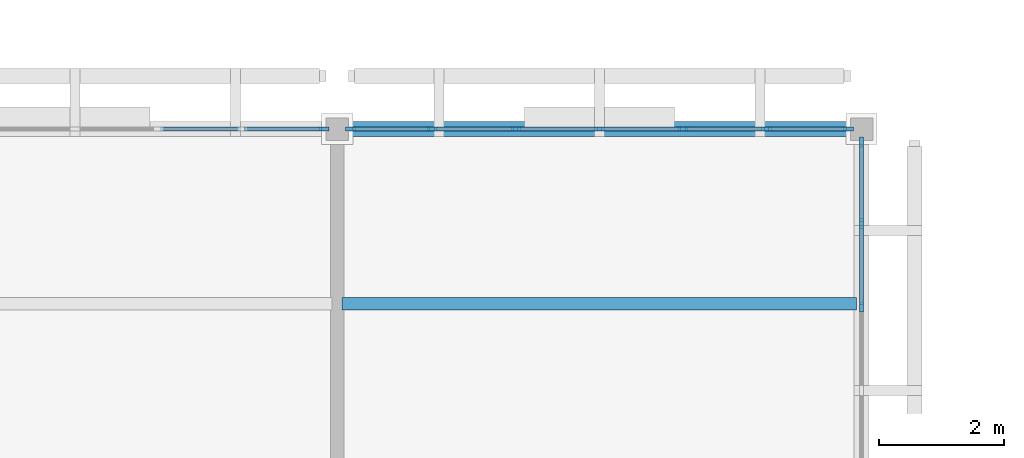
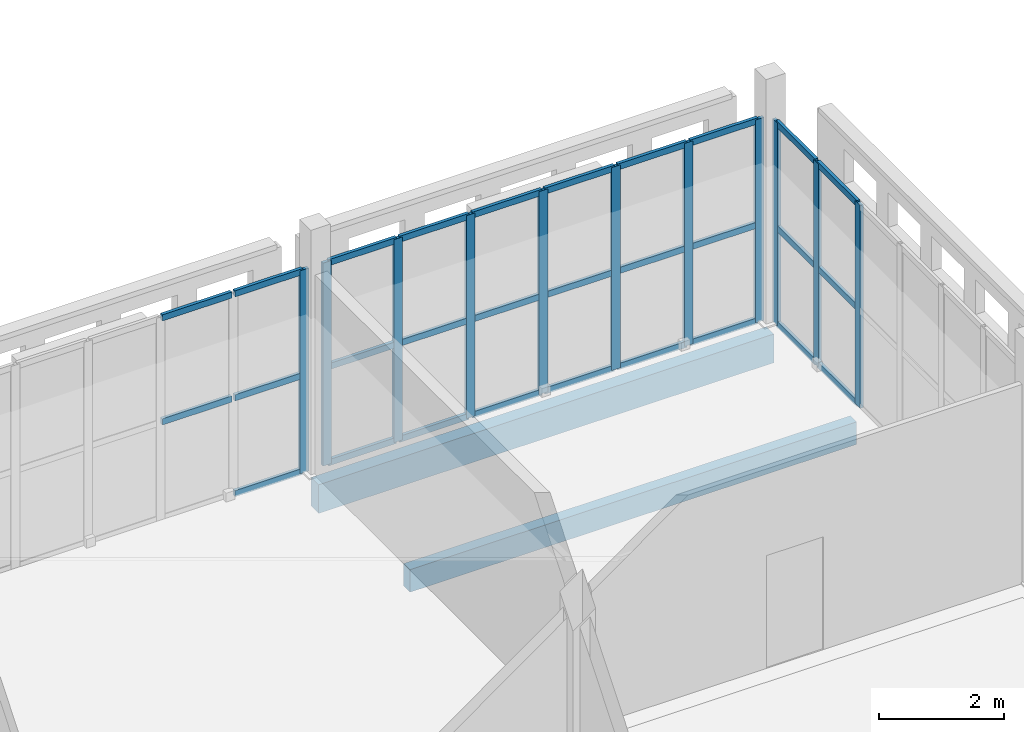
# One storey, part 29 of 203: 40 members, 2 beams, 3 elements without a shape of their own.
"""IFC4 building model written with IfcOpenShell, lengths in metres."""

from ifc_helpers import new_model, si_unit, direction, frame, origin, origin_2d, place, context, subcontext, project, spatial, rectangle, extrude, material, layer, layer_set, material_profile, profile_set, type_object, element, aggregate, save


model = new_model("IFC4")

# Units and contexts
model_context = context("Model", 3, precision=1e-05, world=origin(), true_north=direction((0.0, 1.0)))
body_context = subcontext(model_context, "Body", "Model", "MODEL_VIEW")
ifc_project = project(units=[si_unit("LENGTHUNIT", "METRE"), si_unit("AREAUNIT", "SQUARE_METRE"), si_unit("VOLUMEUNIT", "CUBIC_METRE"), si_unit("PLANEANGLEUNIT", "RADIAN"), si_unit("MASSUNIT", "GRAM", prefix="KILO")], contexts=[model_context])

# Site, building, storey
site_placement = place(None, origin())
site = spatial("IfcSite", under=ifc_project, at=site_placement, CompositionType="ELEMENT")
building_placement = place(site_placement, origin())
building = spatial("IfcBuilding", under=site, at=building_placement, Name="Varnapada Polytechnic", CompositionType="ELEMENT")
storey_placement = place(building_placement, frame((0.0, 0.0, 4.800048828125)))
storey = spatial("IfcBuildingStorey", under=building, at=storey_placement, Name="L01", CompositionType="ELEMENT", Elevation=4.800048828125)

# Beam
ifc_material_1 = material(Name="Glulam GL32h", Category="wood")
ifc_material_profile_1 = material_profile(ifc_material_1, rectangle(XDim=0.199951171875, YDim=0.43994140625, at=origin_2d()), Name="GL 200x440")
ifc_profile_set_1 = profile_set([ifc_material_profile_1], Name="Glulam GL32h")
beam_type_1 = type_object("IfcBeamType", Name="Heavy laboratory glulam joist GJ-03 (GL 200x440)", PredefinedType="JOIST", material=ifc_profile_set_1)
beam_1_placement = place(storey_placement, frame((50.47998046875, 47.60009765625, -0.47998046875), z_axis=(1.0, 0.0, 0.0), x_axis=(0.0, 1.0, 0.0)))
element("IfcBeam", 1, at=beam_1_placement, inside=storey, type_object=beam_type_1, Name="L01 floor joist 7/6.2", PredefinedType="JOIST", context=body_context, shape_type="SweptSolid", body=[
    extrude(rectangle(XDim=0.199951171875, YDim=0.43994140625, at=origin_2d()), origin(), (0.0, 0.0, 1.0), 8.239990234375),
])

# Curtain wall, member
ifc_material_2 = material(Name="Double low-E laminated glass", Category="glass")
ifc_layer = layer(ifc_material_2, 0.159912109375)
ifc_layer_set = layer_set([ifc_layer], Name="Double low-E laminated glass")
curtain_wall_type = type_object("IfcCurtainWallType", Name="Curtain Wall CW-01", PredefinedType="NOTDEFINED", material=ifc_layer_set)
curtain_wall_1_placement = place(storey_placement, origin())
curtain_wall_1 = element("IfcCurtainWall", 2, at=curtain_wall_1_placement, inside=storey, type_object=curtain_wall_type, Name="L01 unitised curtain wall CW-01 (45)", PredefinedType="NOTDEFINED")
ifc_material_3 = material(Name="Anodised aluminium", Category="aluminium")
ifc_material_profile_2 = material_profile(ifc_material_3, rectangle(XDim=0.06005859375, YDim=0.159912109375, at=origin_2d()), Name="ALU M60x160")
ifc_profile_set_2 = profile_set([ifc_material_profile_2], Name="Anodised aluminium")
member_type_1 = type_object("IfcMemberType", Name="Mullion M-01", PredefinedType="MULLION", material=ifc_profile_set_2)
member_1_placement = place(storey_placement, frame((50.18994140625, 50.39990234375, 0.0), z_axis=(0.0, 0.0, 1.0), x_axis=(0.0, 1.0, 0.0)))
member_1 = element("IfcMember", 3, at=member_1_placement, type_object=member_type_1, Name="CW-01 mullion 7", PredefinedType="MULLION", context=body_context, shape_type="SweptSolid", body=[
    extrude(rectangle(XDim=0.06005859375, YDim=0.159912109375, at=origin_2d()), origin(), (0.0, 0.0, 1.0), 3.9599609375),
])

# Curtain wall, members
curtain_wall_2_placement = place(storey_placement, origin())
curtain_wall_2 = element("IfcCurtainWall", 4, at=curtain_wall_2_placement, inside=storey, type_object=curtain_wall_type, Name="L01 unitised curtain wall CW-01 (50)", PredefinedType="NOTDEFINED")
member_2_placement = place(storey_placement, frame((50.610107421875, 50.39990234375, 0.0), z_axis=(0.0, 0.0, 1.0), x_axis=(0.0, 1.0, 0.0)))
member_2 = element("IfcMember", 5, at=member_2_placement, type_object=member_type_1, Name="CW-01 mullion 1", PredefinedType="MULLION", context=body_context, shape_type="SweptSolid", body=[
    extrude(rectangle(XDim=0.06005859375, YDim=0.159912109375, at=origin_2d()), origin(), (0.0, 0.0, 1.0), 3.9599609375),
])
member_3_placement = place(storey_placement, frame((51.919921875, 50.39990234375, 0.0), z_axis=(0.0, 0.0, 1.0), x_axis=(0.0, 1.0, 0.0)))
member_3 = element("IfcMember", 6, at=member_3_placement, type_object=member_type_1, Name="CW-01 mullion 2", PredefinedType="MULLION", context=body_context, shape_type="SweptSolid", body=[
    extrude(rectangle(XDim=0.06005859375, YDim=0.159912109375, at=origin_2d()), origin(), (0.0, 0.0, 1.0), 3.9599609375),
])
member_4_placement = place(storey_placement, frame((53.260009765625, 50.39990234375, 0.0), z_axis=(0.0, 0.0, 1.0), x_axis=(0.0, 1.0, 0.0)))
member_4 = element("IfcMember", 7, at=member_4_placement, type_object=member_type_1, Name="CW-01 mullion 3", PredefinedType="MULLION", context=body_context, shape_type="SweptSolid", body=[
    extrude(rectangle(XDim=0.06005859375, YDim=0.159912109375, at=origin_2d()), origin(), (0.0, 0.0, 1.0), 3.9599609375),
])
member_5_placement = place(storey_placement, frame((54.60009765625, 50.39990234375, 0.0), z_axis=(0.0, 0.0, 1.0), x_axis=(0.0, 1.0, 0.0)))
member_5 = element("IfcMember", 8, at=member_5_placement, type_object=member_type_1, Name="CW-01 mullion 4", PredefinedType="MULLION", context=body_context, shape_type="SweptSolid", body=[
    extrude(rectangle(XDim=0.06005859375, YDim=0.159912109375, at=origin_2d()), origin(), (0.0, 0.0, 1.0), 3.9599609375),
])
member_6_placement = place(storey_placement, frame((55.93994140625, 50.39990234375, 0.0), z_axis=(0.0, 0.0, 1.0), x_axis=(0.0, 1.0, 0.0)))
member_6 = element("IfcMember", 9, at=member_6_placement, type_object=member_type_1, Name="CW-01 mullion 5", PredefinedType="MULLION", context=body_context, shape_type="SweptSolid", body=[
    extrude(rectangle(XDim=0.06005859375, YDim=0.159912109375, at=origin_2d()), origin(), (0.0, 0.0, 1.0), 3.9599609375),
])
member_7_placement = place(storey_placement, frame((57.280029296875, 50.39990234375, 0.0), z_axis=(0.0, 0.0, 1.0), x_axis=(0.0, 1.0, 0.0)))
member_7 = element("IfcMember", 10, at=member_7_placement, type_object=member_type_1, Name="CW-01 mullion 6", PredefinedType="MULLION", context=body_context, shape_type="SweptSolid", body=[
    extrude(rectangle(XDim=0.06005859375, YDim=0.159912109375, at=origin_2d()), origin(), (0.0, 0.0, 1.0), 3.9599609375),
])
member_8_placement = place(storey_placement, frame((58.590087890625, 50.39990234375, 0.0), z_axis=(0.0, 0.0, 1.0), x_axis=(0.0, 1.0, 0.0)))
member_8 = element("IfcMember", 11, at=member_8_placement, type_object=member_type_1, Name="CW-01 mullion 7", PredefinedType="MULLION", context=body_context, shape_type="SweptSolid", body=[
    extrude(rectangle(XDim=0.06005859375, YDim=0.159912109375, at=origin_2d()), origin(), (0.0, 0.0, 1.0), 3.9599609375),
])

curtain_wall_3_placement = place(storey_placement, origin())
curtain_wall_3 = element("IfcCurtainWall", 12, at=curtain_wall_3_placement, inside=storey, type_object=curtain_wall_type, Name="L01 unitised curtain wall CW-01 (51)", PredefinedType="NOTDEFINED")
member_9_placement = place(storey_placement, frame((58.800048828125, 50.18994140625, 0.0), z_axis=(0.0, 0.0, 1.0), x_axis=(1.0, 0.0, 0.0)))
member_9 = element("IfcMember", 13, at=member_9_placement, type_object=member_type_1, Name="CW-01 mullion 1", PredefinedType="MULLION", context=body_context, shape_type="SweptSolid", body=[
    extrude(rectangle(XDim=0.06005859375, YDim=0.159912109375, at=origin_2d()), origin(), (0.0, 0.0, 1.0), 3.9599609375),
])
member_10_placement = place(storey_placement, frame((58.800048828125, 48.885009765625, 0.0), z_axis=(0.0, 0.0, 1.0), x_axis=(1.0, 0.0, 0.0)))
member_10 = element("IfcMember", 14, at=member_10_placement, type_object=member_type_1, Name="CW-01 mullion 2", PredefinedType="MULLION", context=body_context, shape_type="SweptSolid", body=[
    extrude(rectangle(XDim=0.06005859375, YDim=0.159912109375, at=origin_2d()), origin(), (0.0, 0.0, 1.0), 3.9599609375),
])
member_11_placement = place(storey_placement, frame((58.800048828125, 47.550048828125, 0.0), z_axis=(0.0, 0.0, 1.0), x_axis=(1.0, 0.0, 0.0)))
member_11 = element("IfcMember", 15, at=member_11_placement, type_object=member_type_1, Name="CW-01 mullion 3", PredefinedType="MULLION", context=body_context, shape_type="SweptSolid", body=[
    extrude(rectangle(XDim=0.06005859375, YDim=0.159912109375, at=origin_2d()), origin(), (0.0, 0.0, 1.0), 3.9599609375),
])

# Beam
ifc_material_profile_3 = material_profile(ifc_material_1, rectangle(XDim=0.239990234375, YDim=0.56005859375, at=origin_2d()), Name="GL 240x560")
ifc_profile_set_3 = profile_set([ifc_material_profile_3], Name="Glulam GL32h")
beam_type_2 = type_object("IfcBeamType", Name="Perimeter glulam spandrel beam SP-02 (GL 240x560)", PredefinedType="SPANDREL", material=ifc_profile_set_3)
beam_2_placement = place(storey_placement, frame((50.39990234375, 50.39990234375, -0.5400390625), z_axis=(1.0, 0.0, 0.0), x_axis=(0.0, 1.0, 0.0)))
element("IfcBeam", 16, at=beam_2_placement, inside=storey, type_object=beam_type_2, Name="L01 beam X 7-8 at Y7", PredefinedType="SPANDREL", context=body_context, shape_type="SweptSolid", body=[
    extrude(rectangle(XDim=0.239990234375, YDim=0.56005859375, at=origin_2d()), origin(), (0.0, 0.0, 1.0), 8.400146484375),
])

# Member
ifc_material_profile_4 = material_profile(ifc_material_3, rectangle(XDim=0.06005859375, YDim=0.1201171875, at=origin_2d()), Name="ALU T60x120")
ifc_profile_set_4 = profile_set([ifc_material_profile_4], Name="Anodised aluminium")
member_type_2 = type_object("IfcMemberType", Name="Transom T-01", PredefinedType="USERDEFINED", material=ifc_profile_set_4)
member_12_placement = place(storey_placement, frame((47.570068359375, 50.39990234375, 1.900634765625), z_axis=(1.0, 0.0, 0.0), x_axis=(0.0, 1.0, 0.0)))
member_12 = element("IfcMember", 17, at=member_12_placement, type_object=member_type_2, Name="CW-01 transom 5.2", ObjectType="TRANSOM", PredefinedType="USERDEFINED", context=body_context, shape_type="SweptSolid", body=[
    extrude(rectangle(XDim=0.06005859375, YDim=0.1201171875, at=origin_2d()), origin(), (0.0, 0.0, 1.0), 1.280029296875),
])

member_13_placement = place(storey_placement, frame((47.570068359375, 50.39990234375, 3.929931640625), z_axis=(1.0, 0.0, 0.0), x_axis=(0.0, 1.0, 0.0)))
member_13 = element("IfcMember", 18, at=member_13_placement, type_object=member_type_2, Name="CW-01 transom 5.3", ObjectType="TRANSOM", PredefinedType="USERDEFINED", context=body_context, shape_type="SweptSolid", body=[
    extrude(rectangle(XDim=0.06005859375, YDim=0.1201171875, at=origin_2d()), origin(), (0.0, 0.0, 1.0), 1.280029296875),
])

member_14_placement = place(storey_placement, frame((48.909912109375, 50.39990234375, 0.030029296875), z_axis=(1.0, 0.0, 0.0), x_axis=(0.0, 1.0, 0.0)))
member_14 = element("IfcMember", 19, at=member_14_placement, type_object=member_type_2, Name="CW-01 transom 6.1", ObjectType="TRANSOM", PredefinedType="USERDEFINED", context=body_context, shape_type="SweptSolid", body=[
    extrude(rectangle(XDim=0.06005859375, YDim=0.1201171875, at=origin_2d()), origin(), (0.0, 0.0, 1.0), 1.25),
])

member_15_placement = place(storey_placement, frame((48.909912109375, 50.39990234375, 1.900634765625), z_axis=(1.0, 0.0, 0.0), x_axis=(0.0, 1.0, 0.0)))
member_15 = element("IfcMember", 20, at=member_15_placement, type_object=member_type_2, Name="CW-01 transom 6.2", ObjectType="TRANSOM", PredefinedType="USERDEFINED", context=body_context, shape_type="SweptSolid", body=[
    extrude(rectangle(XDim=0.06005859375, YDim=0.1201171875, at=origin_2d()), origin(), (0.0, 0.0, 1.0), 1.25),
])

member_16_placement = place(storey_placement, frame((48.909912109375, 50.39990234375, 3.929931640625), z_axis=(1.0, 0.0, 0.0), x_axis=(0.0, 1.0, 0.0)))
member_16 = element("IfcMember", 21, at=member_16_placement, type_object=member_type_2, Name="CW-01 transom 6.3", ObjectType="TRANSOM", PredefinedType="USERDEFINED", context=body_context, shape_type="SweptSolid", body=[
    extrude(rectangle(XDim=0.06005859375, YDim=0.1201171875, at=origin_2d()), origin(), (0.0, 0.0, 1.0), 1.25),
])

aggregate(curtain_wall_1, [member_1, member_12, member_13, member_14, member_15, member_16])

member_17_placement = place(storey_placement, frame((50.639892578125, 50.39990234375, 0.030029296875), z_axis=(1.0, 0.0, 0.0), x_axis=(0.0, 1.0, 0.0)))
member_17 = element("IfcMember", 22, at=member_17_placement, type_object=member_type_2, Name="CW-01 transom 1.1", ObjectType="TRANSOM", PredefinedType="USERDEFINED", context=body_context, shape_type="SweptSolid", body=[
    extrude(rectangle(XDim=0.06005859375, YDim=0.1201171875, at=origin_2d()), origin(), (0.0, 0.0, 1.0), 1.25),
])

member_18_placement = place(storey_placement, frame((50.639892578125, 50.39990234375, 1.900634765625), z_axis=(1.0, 0.0, 0.0), x_axis=(0.0, 1.0, 0.0)))
member_18 = element("IfcMember", 23, at=member_18_placement, type_object=member_type_2, Name="CW-01 transom 1.2", ObjectType="TRANSOM", PredefinedType="USERDEFINED", context=body_context, shape_type="SweptSolid", body=[
    extrude(rectangle(XDim=0.06005859375, YDim=0.1201171875, at=origin_2d()), origin(), (0.0, 0.0, 1.0), 1.25),
])

member_19_placement = place(storey_placement, frame((50.639892578125, 50.39990234375, 3.929931640625), z_axis=(1.0, 0.0, 0.0), x_axis=(0.0, 1.0, 0.0)))
member_19 = element("IfcMember", 24, at=member_19_placement, type_object=member_type_2, Name="CW-01 transom 1.3", ObjectType="TRANSOM", PredefinedType="USERDEFINED", context=body_context, shape_type="SweptSolid", body=[
    extrude(rectangle(XDim=0.06005859375, YDim=0.1201171875, at=origin_2d()), origin(), (0.0, 0.0, 1.0), 1.25),
])

member_20_placement = place(storey_placement, frame((51.949951171875, 50.39990234375, 0.030029296875), z_axis=(1.0, 0.0, 0.0), x_axis=(0.0, 1.0, 0.0)))
member_20 = element("IfcMember", 25, at=member_20_placement, type_object=member_type_2, Name="CW-01 transom 2.1", ObjectType="TRANSOM", PredefinedType="USERDEFINED", context=body_context, shape_type="SweptSolid", body=[
    extrude(rectangle(XDim=0.06005859375, YDim=0.1201171875, at=origin_2d()), origin(), (0.0, 0.0, 1.0), 1.280029296875),
])

member_21_placement = place(storey_placement, frame((51.949951171875, 50.39990234375, 1.900634765625), z_axis=(1.0, 0.0, 0.0), x_axis=(0.0, 1.0, 0.0)))
member_21 = element("IfcMember", 26, at=member_21_placement, type_object=member_type_2, Name="CW-01 transom 2.2", ObjectType="TRANSOM", PredefinedType="USERDEFINED", context=body_context, shape_type="SweptSolid", body=[
    extrude(rectangle(XDim=0.06005859375, YDim=0.1201171875, at=origin_2d()), origin(), (0.0, 0.0, 1.0), 1.280029296875),
])

member_22_placement = place(storey_placement, frame((51.949951171875, 50.39990234375, 3.929931640625), z_axis=(1.0, 0.0, 0.0), x_axis=(0.0, 1.0, 0.0)))
member_22 = element("IfcMember", 27, at=member_22_placement, type_object=member_type_2, Name="CW-01 transom 2.3", ObjectType="TRANSOM", PredefinedType="USERDEFINED", context=body_context, shape_type="SweptSolid", body=[
    extrude(rectangle(XDim=0.06005859375, YDim=0.1201171875, at=origin_2d()), origin(), (0.0, 0.0, 1.0), 1.280029296875),
])

member_23_placement = place(storey_placement, frame((53.2900390625, 50.39990234375, 0.030029296875), z_axis=(1.0, 0.0, 0.0), x_axis=(0.0, 1.0, 0.0)))
member_23 = element("IfcMember", 28, at=member_23_placement, type_object=member_type_2, Name="CW-01 transom 3.1", ObjectType="TRANSOM", PredefinedType="USERDEFINED", context=body_context, shape_type="SweptSolid", body=[
    extrude(rectangle(XDim=0.06005859375, YDim=0.1201171875, at=origin_2d()), origin(), (0.0, 0.0, 1.0), 1.280029296875),
])

member_24_placement = place(storey_placement, frame((53.2900390625, 50.39990234375, 1.900634765625), z_axis=(1.0, 0.0, 0.0), x_axis=(0.0, 1.0, 0.0)))
member_24 = element("IfcMember", 29, at=member_24_placement, type_object=member_type_2, Name="CW-01 transom 3.2", ObjectType="TRANSOM", PredefinedType="USERDEFINED", context=body_context, shape_type="SweptSolid", body=[
    extrude(rectangle(XDim=0.06005859375, YDim=0.1201171875, at=origin_2d()), origin(), (0.0, 0.0, 1.0), 1.280029296875),
])

member_25_placement = place(storey_placement, frame((53.2900390625, 50.39990234375, 3.929931640625), z_axis=(1.0, 0.0, 0.0), x_axis=(0.0, 1.0, 0.0)))
member_25 = element("IfcMember", 30, at=member_25_placement, type_object=member_type_2, Name="CW-01 transom 3.3", ObjectType="TRANSOM", PredefinedType="USERDEFINED", context=body_context, shape_type="SweptSolid", body=[
    extrude(rectangle(XDim=0.06005859375, YDim=0.1201171875, at=origin_2d()), origin(), (0.0, 0.0, 1.0), 1.280029296875),
])

member_26_placement = place(storey_placement, frame((54.6298828125, 50.39990234375, 0.030029296875), z_axis=(1.0, 0.0, 0.0), x_axis=(0.0, 1.0, 0.0)))
member_26 = element("IfcMember", 31, at=member_26_placement, type_object=member_type_2, Name="CW-01 transom 4.1", ObjectType="TRANSOM", PredefinedType="USERDEFINED", context=body_context, shape_type="SweptSolid", body=[
    extrude(rectangle(XDim=0.06005859375, YDim=0.1201171875, at=origin_2d()), origin(), (0.0, 0.0, 1.0), 1.280029296875),
])

member_27_placement = place(storey_placement, frame((54.6298828125, 50.39990234375, 1.900634765625), z_axis=(1.0, 0.0, 0.0), x_axis=(0.0, 1.0, 0.0)))
member_27 = element("IfcMember", 32, at=member_27_placement, type_object=member_type_2, Name="CW-01 transom 4.2", ObjectType="TRANSOM", PredefinedType="USERDEFINED", context=body_context, shape_type="SweptSolid", body=[
    extrude(rectangle(XDim=0.06005859375, YDim=0.1201171875, at=origin_2d()), origin(), (0.0, 0.0, 1.0), 1.280029296875),
])

member_28_placement = place(storey_placement, frame((54.6298828125, 50.39990234375, 3.929931640625), z_axis=(1.0, 0.0, 0.0), x_axis=(0.0, 1.0, 0.0)))
member_28 = element("IfcMember", 33, at=member_28_placement, type_object=member_type_2, Name="CW-01 transom 4.3", ObjectType="TRANSOM", PredefinedType="USERDEFINED", context=body_context, shape_type="SweptSolid", body=[
    extrude(rectangle(XDim=0.06005859375, YDim=0.1201171875, at=origin_2d()), origin(), (0.0, 0.0, 1.0), 1.280029296875),
])

member_29_placement = place(storey_placement, frame((55.969970703125, 50.39990234375, 0.030029296875), z_axis=(1.0, 0.0, 0.0), x_axis=(0.0, 1.0, 0.0)))
member_29 = element("IfcMember", 34, at=member_29_placement, type_object=member_type_2, Name="CW-01 transom 5.1", ObjectType="TRANSOM", PredefinedType="USERDEFINED", context=body_context, shape_type="SweptSolid", body=[
    extrude(rectangle(XDim=0.06005859375, YDim=0.1201171875, at=origin_2d()), origin(), (0.0, 0.0, 1.0), 1.280029296875),
])

member_30_placement = place(storey_placement, frame((55.969970703125, 50.39990234375, 1.900634765625), z_axis=(1.0, 0.0, 0.0), x_axis=(0.0, 1.0, 0.0)))
member_30 = element("IfcMember", 35, at=member_30_placement, type_object=member_type_2, Name="CW-01 transom 5.2", ObjectType="TRANSOM", PredefinedType="USERDEFINED", context=body_context, shape_type="SweptSolid", body=[
    extrude(rectangle(XDim=0.06005859375, YDim=0.1201171875, at=origin_2d()), origin(), (0.0, 0.0, 1.0), 1.280029296875),
])

member_31_placement = place(storey_placement, frame((55.969970703125, 50.39990234375, 3.929931640625), z_axis=(1.0, 0.0, 0.0), x_axis=(0.0, 1.0, 0.0)))
member_31 = element("IfcMember", 36, at=member_31_placement, type_object=member_type_2, Name="CW-01 transom 5.3", ObjectType="TRANSOM", PredefinedType="USERDEFINED", context=body_context, shape_type="SweptSolid", body=[
    extrude(rectangle(XDim=0.06005859375, YDim=0.1201171875, at=origin_2d()), origin(), (0.0, 0.0, 1.0), 1.280029296875),
])

member_32_placement = place(storey_placement, frame((57.31005859375, 50.39990234375, 0.030029296875), z_axis=(1.0, 0.0, 0.0), x_axis=(0.0, 1.0, 0.0)))
member_32 = element("IfcMember", 37, at=member_32_placement, type_object=member_type_2, Name="CW-01 transom 6.1", ObjectType="TRANSOM", PredefinedType="USERDEFINED", context=body_context, shape_type="SweptSolid", body=[
    extrude(rectangle(XDim=0.06005859375, YDim=0.1201171875, at=origin_2d()), origin(), (0.0, 0.0, 1.0), 1.25),
])

member_33_placement = place(storey_placement, frame((57.31005859375, 50.39990234375, 1.900634765625), z_axis=(1.0, 0.0, 0.0), x_axis=(0.0, 1.0, 0.0)))
member_33 = element("IfcMember", 38, at=member_33_placement, type_object=member_type_2, Name="CW-01 transom 6.2", ObjectType="TRANSOM", PredefinedType="USERDEFINED", context=body_context, shape_type="SweptSolid", body=[
    extrude(rectangle(XDim=0.06005859375, YDim=0.1201171875, at=origin_2d()), origin(), (0.0, 0.0, 1.0), 1.25),
])

member_34_placement = place(storey_placement, frame((57.31005859375, 50.39990234375, 3.929931640625), z_axis=(1.0, 0.0, 0.0), x_axis=(0.0, 1.0, 0.0)))
member_34 = element("IfcMember", 39, at=member_34_placement, type_object=member_type_2, Name="CW-01 transom 6.3", ObjectType="TRANSOM", PredefinedType="USERDEFINED", context=body_context, shape_type="SweptSolid", body=[
    extrude(rectangle(XDim=0.06005859375, YDim=0.1201171875, at=origin_2d()), origin(), (0.0, 0.0, 1.0), 1.25),
])

aggregate(curtain_wall_2, [member_2, member_3, member_4, member_5, member_6, member_7, member_8, member_17, member_18, member_19, member_20, member_21, member_22, member_23, member_24, member_25, member_26, member_27, member_28, member_29, member_30, member_31, member_32, member_33, member_34])

member_35_placement = place(storey_placement, frame((58.800048828125, 50.159912109375, 0.030029296875), z_axis=(0.0, -1.0, 0.0), x_axis=(1.0, 0.0, 0.0)))
member_35 = element("IfcMember", 40, at=member_35_placement, type_object=member_type_2, Name="CW-01 transom 1.1", ObjectType="TRANSOM", PredefinedType="USERDEFINED", context=body_context, shape_type="SweptSolid", body=[
    extrude(rectangle(XDim=0.06005859375, YDim=0.1201171875, at=origin_2d()), origin(), (0.0, 0.0, 1.0), 1.244873046875),
])

member_36_placement = place(storey_placement, frame((58.800048828125, 50.159912109375, 1.900634765625), z_axis=(0.0, -1.0, 0.0), x_axis=(1.0, 0.0, 0.0)))
member_36 = element("IfcMember", 41, at=member_36_placement, type_object=member_type_2, Name="CW-01 transom 1.2", ObjectType="TRANSOM", PredefinedType="USERDEFINED", context=body_context, shape_type="SweptSolid", body=[
    extrude(rectangle(XDim=0.06005859375, YDim=0.1201171875, at=origin_2d()), origin(), (0.0, 0.0, 1.0), 1.244873046875),
])

member_37_placement = place(storey_placement, frame((58.800048828125, 50.159912109375, 3.929931640625), z_axis=(0.0, -1.0, 0.0), x_axis=(1.0, 0.0, 0.0)))
member_37 = element("IfcMember", 42, at=member_37_placement, type_object=member_type_2, Name="CW-01 transom 1.3", ObjectType="TRANSOM", PredefinedType="USERDEFINED", context=body_context, shape_type="SweptSolid", body=[
    extrude(rectangle(XDim=0.06005859375, YDim=0.1201171875, at=origin_2d()), origin(), (0.0, 0.0, 1.0), 1.244873046875),
])

member_38_placement = place(storey_placement, frame((58.800048828125, 48.85498046875, 0.030029296875), z_axis=(0.0, -1.0, 0.0), x_axis=(1.0, 0.0, 0.0)))
member_38 = element("IfcMember", 43, at=member_38_placement, type_object=member_type_2, Name="CW-01 transom 2.1", ObjectType="TRANSOM", PredefinedType="USERDEFINED", context=body_context, shape_type="SweptSolid", body=[
    extrude(rectangle(XDim=0.06005859375, YDim=0.1201171875, at=origin_2d()), origin(), (0.0, 0.0, 1.0), 1.27490234375),
])

member_39_placement = place(storey_placement, frame((58.800048828125, 48.85498046875, 1.900634765625), z_axis=(0.0, -1.0, 0.0), x_axis=(1.0, 0.0, 0.0)))
member_39 = element("IfcMember", 44, at=member_39_placement, type_object=member_type_2, Name="CW-01 transom 2.2", ObjectType="TRANSOM", PredefinedType="USERDEFINED", context=body_context, shape_type="SweptSolid", body=[
    extrude(rectangle(XDim=0.06005859375, YDim=0.1201171875, at=origin_2d()), origin(), (0.0, 0.0, 1.0), 1.27490234375),
])

member_40_placement = place(storey_placement, frame((58.800048828125, 48.85498046875, 3.929931640625), z_axis=(0.0, -1.0, 0.0), x_axis=(1.0, 0.0, 0.0)))
member_40 = element("IfcMember", 45, at=member_40_placement, type_object=member_type_2, Name="CW-01 transom 2.3", ObjectType="TRANSOM", PredefinedType="USERDEFINED", context=body_context, shape_type="SweptSolid", body=[
    extrude(rectangle(XDim=0.06005859375, YDim=0.1201171875, at=origin_2d()), origin(), (0.0, 0.0, 1.0), 1.27490234375),
])

aggregate(curtain_wall_3, [member_9, member_10, member_11, member_35, member_36, member_37, member_38, member_39, member_40])

save(model, "model.ifc")
